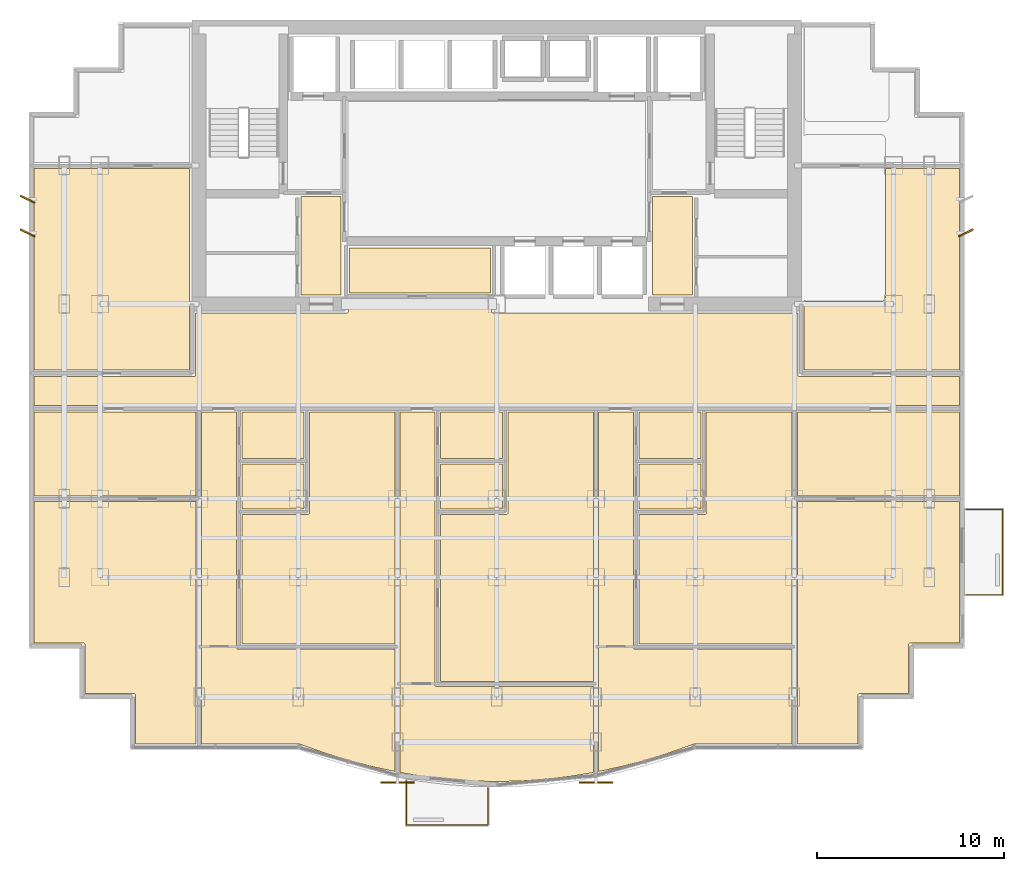
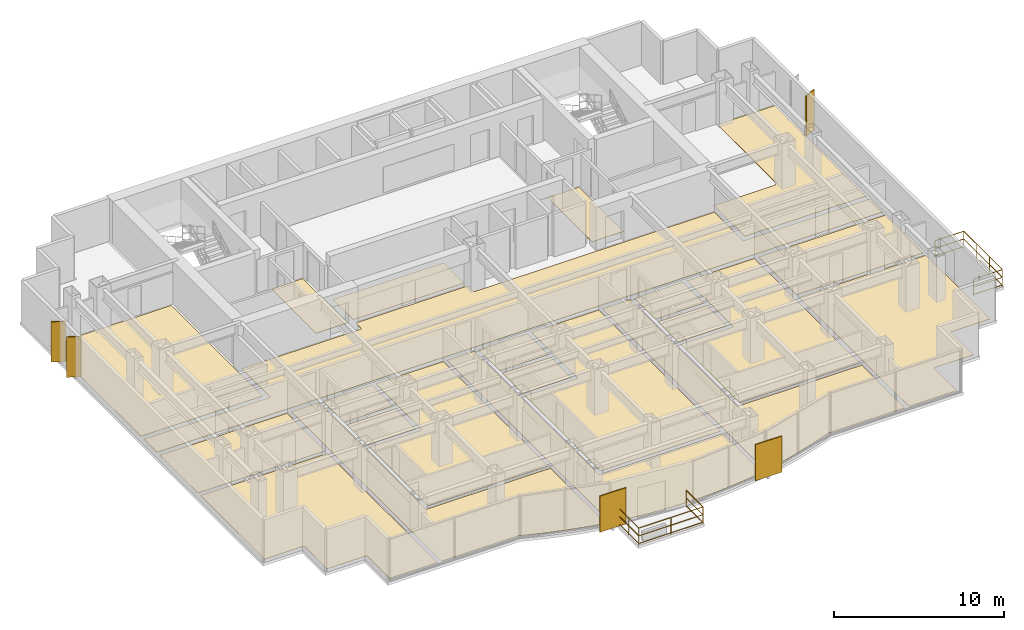
# One storey, part 8 of 9: 22 coverings, 5 shading devices, 2 railings.
"""IFC4 building model written with IfcOpenShell, lengths in metres."""

from ifc_helpers import new_model, si_unit, direction, frame, origin, origin_2d, place, context, subcontext, project, spatial, polyline, rectangle, circle, outline, extrude, source, transform, mapped, material, layer, layer_set, type_object, element, save


model = new_model("IFC4")

# Units and contexts
model_context = context("Model", 3, precision=1e-05, world=origin(), true_north=direction((0.0, 1.0)))
body_context = subcontext(model_context, "Body", "Model", "MODEL_VIEW")
ifc_project = project(units=[si_unit("LENGTHUNIT", "METRE"), si_unit("AREAUNIT", "SQUARE_METRE"), si_unit("VOLUMEUNIT", "CUBIC_METRE"), si_unit("PLANEANGLEUNIT", "RADIAN"), si_unit("MASSUNIT", "GRAM", prefix="KILO")], contexts=[model_context])

# Site, building, storey
site_placement = place(None, origin())
site = spatial("IfcSite", under=ifc_project, at=site_placement, CompositionType="ELEMENT")
building_placement = place(site_placement, origin())
building = spatial("IfcBuilding", under=site, at=building_placement, Name="Qianlan Lanfeng Residences", CompositionType="ELEMENT")
storey_placement = place(building_placement, frame((0.0, 0.0, 111.39990234375)))
storey = spatial("IfcBuildingStorey", under=building, at=storey_placement, Name="L30", CompositionType="ELEMENT", Elevation=111.39990234375)

# Coverings
ifc_material_1 = material(Name="Honed Taitung Granite Stone Flooring", Category="masonry")
ifc_layer_1 = layer(ifc_material_1, 0.030029296875)
ifc_layer_set_1 = layer_set([ifc_layer_1], Name="Honed Taitung Granite Stone Flooring")
covering_type_1 = type_object("IfcCoveringType", Name="FLR-STN-30", PredefinedType="FLOORING", material=ifc_layer_set_1)
covering_1_placement = place(storey_placement, origin())
element("IfcCovering", 1, at=covering_1_placement, inside=storey, type_object=covering_type_1, Name="L30 Residential Corridor Floor Finish", PredefinedType="FLOORING", context=body_context, shape_type="SweptSolid", body=[
    extrude(outline(polyline([(1.7900390625, 19.780029296875), (51.2099609375, 19.780029296875), (51.2099609375, 21.320068359375), (42.6650390625, 21.320068359375), (42.657958984375, 21.320068359375), (42.65087890625, 21.321044921875), (42.64501953125, 21.322998046875), (42.637939453125, 21.324951171875), (42.632080078125, 21.327880859375), (42.6259765625, 21.33203125), (42.62109375, 21.3359375), (42.615966796875, 21.341064453125), (42.611083984375, 21.345947265625), (42.60693359375, 21.35107421875), (42.60302734375, 21.35693359375), (42.60009765625, 21.363037109375), (42.597900390625, 21.3701171875), (42.595947265625, 21.3759765625), (42.594970703125, 21.383056640625), (42.594970703125, 21.389892578125), (42.594970703125, 24.72509765625), (26.300048828125, 24.72509765625), (26.29296875, 24.72509765625), (26.285888671875, 24.72607421875), (26.280029296875, 24.72802734375), (26.27294921875, 24.72998046875), (26.26708984375, 24.73291015625), (26.260986328125, 24.737060546875), (26.256103515625, 24.740966796875), (26.2509765625, 24.74609375), (26.24609375, 24.7509765625), (26.241943359375, 24.756103515625), (26.238037109375, 24.761962890625), (26.235107421875, 24.76806640625), (26.23291015625, 24.77490234375), (26.23095703125, 24.781005859375), (26.22998046875, 24.7880859375), (26.22998046875, 24.794921875), (26.22998046875, 25.429931640625), (18.570068359375, 25.429931640625), (18.570068359375, 24.794921875), (18.570068359375, 24.7880859375), (18.569091796875, 24.781005859375), (18.56689453125, 24.77490234375), (18.56494140625, 24.76806640625), (18.56201171875, 24.761962890625), (18.55810546875, 24.756103515625), (18.553955078125, 24.7509765625), (18.549072265625, 24.74609375), (18.5439453125, 24.740966796875), (18.5390625, 24.737060546875), (18.532958984375, 24.73291015625), (18.527099609375, 24.72998046875), (18.52001953125, 24.72802734375), (18.513916015625, 24.72607421875), (18.507080078125, 24.72509765625), (18.5, 24.72509765625), (10.405029296875, 24.72509765625), (10.405029296875, 21.389892578125), (10.405029296875, 21.383056640625), (10.404052734375, 21.3759765625), (10.402099609375, 21.3701171875), (10.39990234375, 21.363037109375), (10.39697265625, 21.35693359375), (10.39306640625, 21.35107421875), (10.388916015625, 21.345947265625), (10.384033203125, 21.341064453125), (10.37890625, 21.3359375), (10.3740234375, 21.33203125), (10.367919921875, 21.327880859375), (10.362060546875, 21.324951171875), (10.35498046875, 21.322998046875), (10.34912109375, 21.321044921875), (10.342041015625, 21.320068359375), (10.3349609375, 21.320068359375), (1.7900390625, 21.320068359375), (1.7900390625, 19.780029296875)])), origin(), (0.0, 0.0, 1.0), 0.030029296875),
])
covering_2_placement = place(storey_placement, origin())
element("IfcCovering", 2, at=covering_2_placement, inside=storey, type_object=covering_type_1, Name="L30 Lift Lobby Floor Finish", PredefinedType="FLOORING", context=body_context, shape_type="SweptSolid", body=[
    extrude(outline(polyline([(16.030029296875, 25.68505859375), (18.169921875, 25.68505859375), (18.169921875, 30.949951171875), (16.030029296875, 30.949951171875), (16.030029296875, 25.68505859375)])), origin(), (0.0, 0.0, 1.0), 0.030029296875),
])
covering_3_placement = place(storey_placement, origin())
element("IfcCovering", 3, at=covering_3_placement, inside=storey, type_object=covering_type_1, Name="L30 Lift Lobby Floor Finish", PredefinedType="FLOORING", context=body_context, shape_type="SweptSolid", body=[
    extrude(outline(polyline([(34.830078125, 25.68505859375), (36.969970703125, 25.68505859375), (36.969970703125, 30.949951171875), (34.830078125, 30.949951171875), (34.830078125, 25.68505859375)])), origin(), (0.0, 0.0, 1.0), 0.030029296875),
])
ifc_material_2 = material(Name="Slip-Resistant Porcelain Tile Flooring")
ifc_layer_2 = layer(ifc_material_2, 0.02001953125)
ifc_layer_set_2 = layer_set([ifc_layer_2], Name="Slip-Resistant Porcelain Tile Flooring")
covering_type_2 = type_object("IfcCoveringType", Name="FLR-TIL-20", PredefinedType="FLOORING", material=ifc_layer_set_2)
covering_4_placement = place(storey_placement, origin())
element("IfcCovering", 4, at=covering_4_placement, inside=storey, type_object=covering_type_2, Name="L30 Kitchen Floor Finish", PredefinedType="FLOORING", context=body_context, shape_type="SweptSolid", body=[
    extrude(outline(polyline([(12.889892578125, 14.239990234375), (16.2099609375, 14.239990234375), (16.2099609375, 16.659912109375), (12.889892578125, 16.659912109375), (12.889892578125, 14.239990234375)])), origin(), (0.0, 0.0, 1.0), 0.02001953125),
])
covering_5_placement = place(storey_placement, origin())
element("IfcCovering", 5, at=covering_5_placement, inside=storey, type_object=covering_type_2, Name="L30 Bathroom Floor Finish", PredefinedType="FLOORING", context=body_context, shape_type="SweptSolid", body=[
    extrude(outline(polyline([(12.889892578125, 16.93994140625), (16.2099609375, 16.93994140625), (16.2099609375, 19.429931640625), (12.889892578125, 19.429931640625), (12.889892578125, 16.93994140625)])), origin(), (0.0, 0.0, 1.0), 0.02001953125),
])
covering_6_placement = place(storey_placement, origin())
element("IfcCovering", 6, at=covering_6_placement, inside=storey, type_object=covering_type_2, Name="L30 Kitchen Floor Finish", PredefinedType="FLOORING", context=body_context, shape_type="SweptSolid", body=[
    extrude(outline(polyline([(23.489990234375, 14.239990234375), (26.81005859375, 14.239990234375), (26.81005859375, 16.659912109375), (23.489990234375, 16.659912109375), (23.489990234375, 14.239990234375)])), origin(), (0.0, 0.0, 1.0), 0.02001953125),
])
covering_7_placement = place(storey_placement, origin())
element("IfcCovering", 7, at=covering_7_placement, inside=storey, type_object=covering_type_2, Name="L30 Bathroom Floor Finish", PredefinedType="FLOORING", context=body_context, shape_type="SweptSolid", body=[
    extrude(outline(polyline([(23.489990234375, 16.93994140625), (26.81005859375, 16.93994140625), (26.81005859375, 19.429931640625), (23.489990234375, 19.429931640625), (23.489990234375, 16.93994140625)])), origin(), (0.0, 0.0, 1.0), 0.02001953125),
])
covering_8_placement = place(storey_placement, origin())
element("IfcCovering", 8, at=covering_8_placement, inside=storey, type_object=covering_type_2, Name="L30 Kitchen Floor Finish", PredefinedType="FLOORING", context=body_context, shape_type="SweptSolid", body=[
    extrude(outline(polyline([(34.090087890625, 14.239990234375), (37.409912109375, 14.239990234375), (37.409912109375, 16.659912109375), (34.090087890625, 16.659912109375), (34.090087890625, 14.239990234375)])), origin(), (0.0, 0.0, 1.0), 0.02001953125),
])
covering_9_placement = place(storey_placement, origin())
element("IfcCovering", 9, at=covering_9_placement, inside=storey, type_object=covering_type_2, Name="L30 Bathroom Floor Finish", PredefinedType="FLOORING", context=body_context, shape_type="SweptSolid", body=[
    extrude(outline(polyline([(34.090087890625, 16.93994140625), (37.409912109375, 16.93994140625), (37.409912109375, 19.429931640625), (34.090087890625, 19.429931640625), (34.090087890625, 16.93994140625)])), origin(), (0.0, 0.0, 1.0), 0.02001953125),
])
ifc_material_3 = material(Name="Engineered Smoked Oak Timber Flooring", Category="wood")
ifc_layer_3 = layer(ifc_material_3, 0.02197265625)
ifc_layer_set_3 = layer_set([ifc_layer_3], Name="Engineered Smoked Oak Timber Flooring")
covering_type_3 = type_object("IfcCoveringType", Name="FLR-TIM-22", PredefinedType="FLOORING", material=ifc_layer_set_3)
covering_10_placement = place(storey_placement, origin())
element("IfcCovering", 10, at=covering_10_placement, inside=storey, type_object=covering_type_3, Name="L30 Resident Study Salon Floor Finish", PredefinedType="FLOORING", context=body_context, shape_type="SweptSolid", body=[
    extrude(outline(polyline([(18.6298828125, 25.800048828125), (26.169921875, 25.800048828125), (26.169921875, 28.205078125), (18.6298828125, 28.205078125), (18.6298828125, 25.800048828125)])), origin(), (0.0, 0.0, 1.0), 0.022216796875),
])
covering_11_placement = place(storey_placement, origin())
element("IfcCovering", 11, at=covering_11_placement, inside=storey, type_object=covering_type_3, Name="L30 Studio Living Room Floor Finish", PredefinedType="FLOORING", context=body_context, shape_type="SweptSolid", body=[
    extrude(outline(polyline([(21.070068359375, 0.22607421875), (21.070068359375, 6.762939453125), (12.679931640625, 6.762939453125), (12.673095703125, 6.762939453125), (12.666015625, 6.763916015625), (12.659912109375, 6.76611328125), (12.653076171875, 6.76806640625), (12.64697265625, 6.77099609375), (12.64111328125, 6.77490234375), (12.635986328125, 6.779052734375), (12.631103515625, 6.783935546875), (12.6259765625, 6.7890625), (12.6220703125, 6.7939453125), (12.617919921875, 6.800048828125), (12.614990234375, 6.805908203125), (12.613037109375, 6.81298828125), (12.611083984375, 6.819091796875), (12.610107421875, 6.825927734375), (12.610107421875, 6.8330078125), (12.610107421875, 19.429931640625), (10.72998046875, 19.429931640625), (10.72998046875, 1.68994140625), (15.9580078125, 1.68994140625), (15.966064453125, 1.68994140625), (15.97412109375, 1.68798828125), (15.98095703125, 1.68603515625), (17.3330078125, 1.2060546875), (18.64404296875, 0.803955078125), (19.9541015625, 0.462890625), (21.070068359375, 0.22607421875)])), origin(), (0.0, 0.0, 1.0), 0.022216796875),
])
covering_12_placement = place(storey_placement, origin())
element("IfcCovering", 12, at=covering_12_placement, inside=storey, type_object=covering_type_3, Name="L30 Villa Family Sitting Room Floor Finish", PredefinedType="FLOORING", context=body_context, shape_type="SweptSolid", body=[
    extrude(outline(polyline([(12.889892578125, 7.04296875), (21.070068359375, 7.04296875), (21.070068359375, 19.429931640625), (16.489990234375, 19.429931640625), (16.489990234375, 14.030029296875), (16.489990234375, 14.02294921875), (16.489013671875, 14.01611328125), (16.487060546875, 14.010009765625), (16.485107421875, 14.0029296875), (16.48193359375, 13.9970703125), (16.47802734375, 13.990966796875), (16.47412109375, 13.986083984375), (16.468994140625, 13.98095703125), (16.464111328125, 13.97607421875), (16.458984375, 13.971923828125), (16.452880859375, 13.968017578125), (16.447021484375, 13.965087890625), (16.43994140625, 13.962890625), (16.43408203125, 13.9609375), (16.427001953125, 13.9599609375), (16.419921875, 13.9599609375), (12.889892578125, 13.9599609375), (12.889892578125, 7.04296875)])), origin(), (0.0, 0.0, 1.0), 0.022216796875),
])
covering_13_placement = place(storey_placement, origin())
element("IfcCovering", 13, at=covering_13_placement, inside=storey, type_object=covering_type_3, Name="L30 Studio Living Room Floor Finish", PredefinedType="FLOORING", context=body_context, shape_type="SweptSolid", body=[
    extrude(outline(polyline([(31.669921875, 0.174072265625), (31.669921875, 4.762939453125), (23.280029296875, 4.762939453125), (23.27294921875, 4.762939453125), (23.26611328125, 4.763916015625), (23.260009765625, 4.76611328125), (23.2529296875, 4.76806640625), (23.2470703125, 4.77099609375), (23.240966796875, 4.77490234375), (23.236083984375, 4.779052734375), (23.23095703125, 4.783935546875), (23.22607421875, 4.7890625), (23.221923828125, 4.7939453125), (23.218017578125, 4.800048828125), (23.215087890625, 4.805908203125), (23.212890625, 4.81298828125), (23.2109375, 4.819091796875), (23.2099609375, 4.825927734375), (23.2099609375, 4.8330078125), (23.2099609375, 19.429931640625), (21.330078125, 19.429931640625), (21.330078125, 0.174072265625), (22.572998046875, -0.031982421875), (23.882080078125, -0.18603515625), (25.19091796875, -0.279052734375), (26.5, -0.31005859375), (27.80810546875, -0.279052734375), (29.117919921875, -0.18603515625), (30.426025390625, -0.031982421875), (31.669921875, 0.174072265625)])), origin(), (0.0, 0.0, 1.0), 0.022216796875),
])
covering_14_placement = place(storey_placement, origin())
element("IfcCovering", 14, at=covering_14_placement, inside=storey, type_object=covering_type_3, Name="L30 Villa Family Sitting Room Floor Finish", PredefinedType="FLOORING", context=body_context, shape_type="SweptSolid", body=[
    extrude(outline(polyline([(23.489990234375, 5.04296875), (31.669921875, 5.04296875), (31.669921875, 19.429931640625), (27.090087890625, 19.429931640625), (27.090087890625, 14.030029296875), (27.090087890625, 14.02294921875), (27.089111328125, 14.01611328125), (27.0869140625, 14.010009765625), (27.0849609375, 14.0029296875), (27.08203125, 13.9970703125), (27.077880859375, 13.990966796875), (27.073974609375, 13.986083984375), (27.069091796875, 13.98095703125), (27.06396484375, 13.97607421875), (27.05908203125, 13.971923828125), (27.052978515625, 13.968017578125), (27.047119140625, 13.965087890625), (27.0400390625, 13.962890625), (27.033935546875, 13.9609375), (27.027099609375, 13.9599609375), (27.02001953125, 13.9599609375), (23.489990234375, 13.9599609375), (23.489990234375, 5.04296875)])), origin(), (0.0, 0.0, 1.0), 0.022216796875),
])
covering_15_placement = place(storey_placement, origin())
element("IfcCovering", 15, at=covering_15_placement, inside=storey, type_object=covering_type_3, Name="L30 Studio Living Room Floor Finish", PredefinedType="FLOORING", context=body_context, shape_type="SweptSolid", body=[
    extrude(outline(polyline([(42.27001953125, 1.68994140625), (42.27001953125, 6.762939453125), (33.8798828125, 6.762939453125), (33.873046875, 6.762939453125), (33.865966796875, 6.763916015625), (33.860107421875, 6.76611328125), (33.85302734375, 6.76806640625), (33.846923828125, 6.77099609375), (33.841064453125, 6.77490234375), (33.8359375, 6.779052734375), (33.8310546875, 6.783935546875), (33.825927734375, 6.7890625), (33.822021484375, 6.7939453125), (33.818115234375, 6.800048828125), (33.81494140625, 6.805908203125), (33.81298828125, 6.81298828125), (33.81103515625, 6.819091796875), (33.81005859375, 6.825927734375), (33.81005859375, 6.8330078125), (33.81005859375, 19.429931640625), (31.929931640625, 19.429931640625), (31.929931640625, 0.22607421875), (33.044921875, 0.462890625), (34.35595703125, 0.803955078125), (35.6669921875, 1.2060546875), (37.01904296875, 1.68603515625), (37.02587890625, 1.68798828125), (37.033935546875, 1.68994140625), (37.0419921875, 1.68994140625), (42.27001953125, 1.68994140625)])), origin(), (0.0, 0.0, 1.0), 0.022216796875),
])
covering_16_placement = place(storey_placement, origin())
element("IfcCovering", 16, at=covering_16_placement, inside=storey, type_object=covering_type_3, Name="L30 Villa Family Sitting Room Floor Finish", PredefinedType="FLOORING", context=body_context, shape_type="SweptSolid", body=[
    extrude(outline(polyline([(34.090087890625, 7.04296875), (42.27001953125, 7.04296875), (42.27001953125, 19.429931640625), (37.68994140625, 19.429931640625), (37.68994140625, 14.030029296875), (37.68994140625, 14.02294921875), (37.68896484375, 14.01611328125), (37.68701171875, 14.010009765625), (37.68505859375, 14.0029296875), (37.681884765625, 13.9970703125), (37.677978515625, 13.990966796875), (37.674072265625, 13.986083984375), (37.6689453125, 13.98095703125), (37.6640625, 13.97607421875), (37.658935546875, 13.971923828125), (37.653076171875, 13.968017578125), (37.64697265625, 13.965087890625), (37.639892578125, 13.962890625), (37.634033203125, 13.9609375), (37.626953125, 13.9599609375), (37.6201171875, 13.9599609375), (34.090087890625, 13.9599609375), (34.090087890625, 7.04296875)])), origin(), (0.0, 0.0, 1.0), 0.022216796875),
])
covering_17_placement = place(storey_placement, origin())
element("IfcCovering", 17, at=covering_17_placement, inside=storey, type_object=covering_type_3, Name="L30 Sunroom Floor Finish", PredefinedType="FLOORING", context=body_context, shape_type="SweptSolid", body=[
    extrude(outline(polyline([(10.43994140625, 14.64990234375), (1.7900390625, 14.64990234375), (1.7900390625, 7.090087890625), (4.419921875, 7.090087890625), (4.427001953125, 7.090087890625), (4.43408203125, 7.089111328125), (4.43994140625, 7.0869140625), (4.447021484375, 7.0849609375), (4.452880859375, 7.08203125), (4.458984375, 7.077880859375), (4.464111328125, 7.073974609375), (4.468994140625, 7.069091796875), (4.47412109375, 7.06396484375), (4.47802734375, 7.05908203125), (4.48193359375, 7.052978515625), (4.485107421875, 7.047119140625), (4.487060546875, 7.0400390625), (4.489013671875, 7.033935546875), (4.489990234375, 7.027099609375), (4.489990234375, 7.02001953125), (4.489990234375, 4.389892578125), (7.1201171875, 4.389892578125), (7.126953125, 4.389892578125), (7.134033203125, 4.388916015625), (7.139892578125, 4.386962890625), (7.14697265625, 4.385009765625), (7.153076171875, 4.382080078125), (7.158935546875, 4.3779296875), (7.1640625, 4.3740234375), (7.1689453125, 4.368896484375), (7.174072265625, 4.364013671875), (7.177978515625, 4.35888671875), (7.181884765625, 4.35302734375), (7.18505859375, 4.346923828125), (7.18701171875, 4.340087890625), (7.18896484375, 4.333984375), (7.18994140625, 4.326904296875), (7.18994140625, 4.320068359375), (7.18994140625, 1.68994140625), (10.43994140625, 1.68994140625), (10.43994140625, 14.64990234375)])), origin(), (0.0, 0.0, 1.0), 0.022216796875),
])
covering_18_placement = place(storey_placement, origin())
element("IfcCovering", 18, at=covering_18_placement, inside=storey, type_object=covering_type_3, Name="L30 Family Sitting Room Floor Finish", PredefinedType="FLOORING", context=body_context, shape_type="SweptSolid", body=[
    extrude(outline(polyline([(10.43994140625, 19.429931640625), (1.7900390625, 19.429931640625), (1.7900390625, 14.949951171875), (10.43994140625, 14.949951171875), (10.43994140625, 19.429931640625)])), origin(), (0.0, 0.0, 1.0), 0.022216796875),
])
covering_19_placement = place(storey_placement, origin())
element("IfcCovering", 19, at=covering_19_placement, inside=storey, type_object=covering_type_3, Name="L30 Sunroom Floor Finish", PredefinedType="FLOORING", context=body_context, shape_type="SweptSolid", body=[
    extrude(outline(polyline([(51.2099609375, 14.64990234375), (42.56005859375, 14.64990234375), (42.56005859375, 1.68994140625), (45.81005859375, 1.68994140625), (45.81005859375, 4.320068359375), (45.81005859375, 4.326904296875), (45.81103515625, 4.333984375), (45.81298828125, 4.340087890625), (45.81494140625, 4.346923828125), (45.818115234375, 4.35302734375), (45.822021484375, 4.35888671875), (45.825927734375, 4.364013671875), (45.8310546875, 4.368896484375), (45.8359375, 4.3740234375), (45.841064453125, 4.3779296875), (45.846923828125, 4.382080078125), (45.85302734375, 4.385009765625), (45.860107421875, 4.386962890625), (45.865966796875, 4.388916015625), (45.873046875, 4.389892578125), (45.8798828125, 4.389892578125), (48.510009765625, 4.389892578125), (48.510009765625, 7.02001953125), (48.510009765625, 7.027099609375), (48.510986328125, 7.033935546875), (48.512939453125, 7.0400390625), (48.514892578125, 7.047119140625), (48.51806640625, 7.052978515625), (48.52197265625, 7.05908203125), (48.52587890625, 7.06396484375), (48.531005859375, 7.069091796875), (48.535888671875, 7.073974609375), (48.541015625, 7.077880859375), (48.547119140625, 7.08203125), (48.552978515625, 7.0849609375), (48.56005859375, 7.0869140625), (48.56591796875, 7.089111328125), (48.572998046875, 7.090087890625), (48.580078125, 7.090087890625), (51.2099609375, 7.090087890625), (51.2099609375, 14.64990234375)])), origin(), (0.0, 0.0, 1.0), 0.022216796875),
])
covering_20_placement = place(storey_placement, origin())
element("IfcCovering", 20, at=covering_20_placement, inside=storey, type_object=covering_type_3, Name="L30 Private Study Floor Finish", PredefinedType="FLOORING", context=body_context, shape_type="SweptSolid", body=[
    extrude(outline(polyline([(51.2099609375, 19.429931640625), (42.56005859375, 19.429931640625), (42.56005859375, 14.949951171875), (51.2099609375, 14.949951171875), (51.2099609375, 19.429931640625)])), origin(), (0.0, 0.0, 1.0), 0.022216796875),
])
covering_21_placement = place(storey_placement, origin())
element("IfcCovering", 21, at=covering_21_placement, inside=storey, type_object=covering_type_3, Name="L30 Co-Working Business Suite Floor Finish", PredefinedType="FLOORING", context=body_context, shape_type="SweptSolid", body=[
    extrude(outline(polyline([(10.074951171875, 32.449951171875), (1.7900390625, 32.449951171875), (1.7900390625, 21.679931640625), (10.074951171875, 21.679931640625), (10.074951171875, 32.449951171875)])), origin(), (0.0, 0.0, 1.0), 0.022216796875),
])
covering_22_placement = place(storey_placement, origin())
element("IfcCovering", 22, at=covering_22_placement, inside=storey, type_object=covering_type_3, Name="L30 Co-Working Business Suite Floor Finish", PredefinedType="FLOORING", context=body_context, shape_type="SweptSolid", body=[
    extrude(outline(polyline([(51.2099609375, 32.449951171875), (47.27001953125, 32.449951171875), (47.27001953125, 25.60009765625), (47.26904296875, 25.574951171875), (47.264892578125, 25.551025390625), (47.259033203125, 25.527099609375), (47.2509765625, 25.50390625), (47.239990234375, 25.48193359375), (47.22802734375, 25.4609375), (47.212890625, 25.44091796875), (47.197021484375, 25.423095703125), (47.178955078125, 25.406982421875), (47.158935546875, 25.39208984375), (47.137939453125, 25.3798828125), (47.115966796875, 25.368896484375), (47.093017578125, 25.361083984375), (47.069091796875, 25.35498046875), (47.044921875, 25.35107421875), (47.02001953125, 25.35009765625), (43.080078125, 25.35009765625), (43.054931640625, 25.35107421875), (43.031005859375, 25.35498046875), (43.007080078125, 25.361083984375), (42.98388671875, 25.368896484375), (42.9619140625, 25.3798828125), (42.94091796875, 25.39208984375), (42.925048828125, 25.404052734375), (42.925048828125, 21.679931640625), (51.2099609375, 21.679931640625), (51.2099609375, 32.449951171875)])), origin(), (0.0, 0.0, 1.0), 0.022216796875),
])

# Railings
ifc_material_4 = material(Name="Anodised Bronze Aluminium and Laminated Glass Guard Balustrade", Category="aluminium")
railing_type = type_object("IfcRailingType", Name="GR-EXT-1220", PredefinedType="BALUSTRADE", material=ifc_material_4)
railing_1_placement = place(storey_placement, frame((26.030029296875, -0.658935546875, 0.0)))
element("IfcRailing", 23, at=railing_1_placement, inside=storey, type_object=railing_type, Name="L30 Terrace Safety Guard GR-L30-SB-C", PredefinedType="BALUSTRADE", context=body_context, shape_type="SweptSolid", body=[
    extrude(circle(Radius=0.02490234375, at=origin_2d()), frame((0.0, 0.0, 0.0849609375), z_axis=(0.0, -1.0, 0.0), x_axis=(1.0, 0.0, 0.0)), (0.0, 0.0, 1.0), 1.970947265625),
    extrude(circle(Radius=0.02490234375, at=origin_2d()), frame((0.0, 0.0, 0.63427734375), z_axis=(0.0, -1.0, 0.0), x_axis=(1.0, 0.0, 0.0)), (0.0, 0.0, 1.0), 1.970947265625),
    extrude(circle(Radius=0.02490234375, at=origin_2d()), frame((0.0, 0.0, 1.19482421875), z_axis=(0.0, -1.0, 0.0), x_axis=(1.0, 0.0, 0.0)), (0.0, 0.0, 1.0), 1.970947265625),
    extrude(circle(Radius=0.02490234375, at=origin_2d()), frame((0.0, -1.970947265625, 0.0849609375), z_axis=(-1.0, 0.0, 0.0), x_axis=(0.0, -1.0, 0.0)), (0.0, 0.0, 1.0), 4.360107421875),
    extrude(circle(Radius=0.02490234375, at=origin_2d()), frame((0.0, -1.970947265625, 0.63427734375), z_axis=(-1.0, 0.0, 0.0), x_axis=(0.0, -1.0, 0.0)), (0.0, 0.0, 1.0), 4.360107421875),
    extrude(circle(Radius=0.02490234375, at=origin_2d()), frame((0.0, -1.970947265625, 1.19482421875), z_axis=(-1.0, 0.0, 0.0), x_axis=(0.0, -1.0, 0.0)), (0.0, 0.0, 1.0), 4.360107421875),
    extrude(circle(Radius=0.02490234375, at=origin_2d()), frame((-4.360107421875, -1.970947265625, 0.0849609375), z_axis=(0.0, 1.0, 0.0), x_axis=(-1.0, 0.0, 0.0)), (0.0, 0.0, 1.0), 2.3818359375),
    extrude(circle(Radius=0.02490234375, at=origin_2d()), frame((-4.360107421875, -1.970947265625, 0.63427734375), z_axis=(0.0, 1.0, 0.0), x_axis=(-1.0, 0.0, 0.0)), (0.0, 0.0, 1.0), 2.3818359375),
    extrude(circle(Radius=0.02490234375, at=origin_2d()), frame((-4.360107421875, -1.970947265625, 1.19482421875), z_axis=(0.0, 1.0, 0.0), x_axis=(-1.0, 0.0, 0.0)), (0.0, 0.0, 1.0), 2.3818359375),
    extrude(circle(Radius=0.02099609375, at=origin_2d()), origin(), (0.0, 0.0, 1.0), 1.169921875),
    extrude(circle(Radius=0.02099609375, at=origin_2d()), frame((0.0, -1.970947265625, 0.0)), (0.0, 0.0, 1.0), 1.169921875),
    extrude(circle(Radius=0.02099609375, at=origin_2d()), frame((-2.18017578125, -1.970947265625, 0.0)), (0.0, 0.0, 1.0), 1.169921875),
    extrude(circle(Radius=0.02099609375, at=origin_2d()), frame((-4.360107421875, -1.970947265625, 0.0)), (0.0, 0.0, 1.0), 1.169921875),
    extrude(circle(Radius=0.02099609375, at=origin_2d()), frame((-4.360107421875, -0.780029296875, 0.0)), (0.0, 0.0, 1.0), 1.169921875),
    extrude(circle(Radius=0.02099609375, at=origin_2d()), frame((-4.360107421875, 0.410888671875, 0.0)), (0.0, 0.0, 1.0), 1.169921875),
])
railing_2_placement = place(storey_placement, frame((51.570068359375, 14.22998046875, 0.0)))
element("IfcRailing", 24, at=railing_2_placement, inside=storey, type_object=railing_type, Name="L30 Terrace Safety Guard GR-L30-EB-S", PredefinedType="BALUSTRADE", context=body_context, shape_type="SweptSolid", body=[
    extrude(circle(Radius=0.02490234375, at=origin_2d()), frame((0.0, 0.0, 0.0849609375), z_axis=(1.0, 0.0, 0.0), x_axis=(0.0, 1.0, 0.0)), (0.0, 0.0, 1.0), 1.9599609375),
    extrude(circle(Radius=0.02490234375, at=origin_2d()), frame((0.0, 0.0, 0.63427734375), z_axis=(1.0, 0.0, 0.0), x_axis=(0.0, 1.0, 0.0)), (0.0, 0.0, 1.0), 1.9599609375),
    extrude(circle(Radius=0.02490234375, at=origin_2d()), frame((0.0, 0.0, 1.19482421875), z_axis=(1.0, 0.0, 0.0), x_axis=(0.0, 1.0, 0.0)), (0.0, 0.0, 1.0), 1.9599609375),
    extrude(circle(Radius=0.02490234375, at=origin_2d()), frame((1.9599609375, 0.0, 0.0849609375), z_axis=(0.0, -1.0, 0.0), x_axis=(1.0, 0.0, 0.0)), (0.0, 0.0, 1.0), 4.56005859375),
    extrude(circle(Radius=0.02490234375, at=origin_2d()), frame((1.9599609375, 0.0, 0.63427734375), z_axis=(0.0, -1.0, 0.0), x_axis=(1.0, 0.0, 0.0)), (0.0, 0.0, 1.0), 4.56005859375),
    extrude(circle(Radius=0.02490234375, at=origin_2d()), frame((1.9599609375, 0.0, 1.19482421875), z_axis=(0.0, -1.0, 0.0), x_axis=(1.0, 0.0, 0.0)), (0.0, 0.0, 1.0), 4.56005859375),
    extrude(circle(Radius=0.02490234375, at=origin_2d()), frame((1.9599609375, -4.56005859375, 0.0849609375), z_axis=(-1.0, 0.0, 0.0), x_axis=(0.0, -1.0, 0.0)), (0.0, 0.0, 1.0), 1.9599609375),
    extrude(circle(Radius=0.02490234375, at=origin_2d()), frame((1.9599609375, -4.56005859375, 0.63427734375), z_axis=(-1.0, 0.0, 0.0), x_axis=(0.0, -1.0, 0.0)), (0.0, 0.0, 1.0), 1.9599609375),
    extrude(circle(Radius=0.02490234375, at=origin_2d()), frame((1.9599609375, -4.56005859375, 1.19482421875), z_axis=(-1.0, 0.0, 0.0), x_axis=(0.0, -1.0, 0.0)), (0.0, 0.0, 1.0), 1.9599609375),
    extrude(circle(Radius=0.02099609375, at=origin_2d()), origin(), (0.0, 0.0, 1.0), 1.169921875),
    extrude(circle(Radius=0.02099609375, at=origin_2d()), frame((1.9599609375, 0.0, 0.0)), (0.0, 0.0, 1.0), 1.169921875),
    extrude(circle(Radius=0.02099609375, at=origin_2d()), frame((1.9599609375, -1.52001953125, 0.0)), (0.0, 0.0, 1.0), 1.169921875),
    extrude(circle(Radius=0.02099609375, at=origin_2d()), frame((1.9599609375, -3.0400390625, 0.0)), (0.0, 0.0, 1.0), 1.169921875),
    extrude(circle(Radius=0.02099609375, at=origin_2d()), frame((1.9599609375, -4.56005859375, 0.0)), (0.0, 0.0, 1.0), 1.169921875),
    extrude(circle(Radius=0.02099609375, at=origin_2d()), frame((0.0, -4.56005859375, 0.0)), (0.0, 0.0, 1.0), 1.169921875),
])

# Shading devices
ifc_material_5 = material(Name="Perforated Bronze Aluminium Solar Screen", Category="aluminium")
shading_device_type_1 = type_object("IfcShadingDeviceType", Name="SCR-BRZ-1800", PredefinedType="JALOUSIE", material=ifc_material_5)
shared_shape_1 = source(origin(), body_context, "Body", "SweptSolid", [
    extrude(rectangle(XDim=1.800048828125, YDim=0.06005859375, at=origin_2d()), origin(), (0.0, 0.0, 1.0), 2.60009765625),
])
for number, where, z_axis, x_axis, name in (
    (25, (21.199951171875, -0.360107421875, 0.0), (0.0, 0.0, 1.0), (1.0, 0.0, 0.0), "L30 Perforated Bronze Solar Screen 1"),
    (26, (31.800048828125, -0.360107421875, 0.0), (0.0, 0.0, 1.0), (1.0, 0.0, 0.0), "L30 Perforated Bronze Solar Screen 2"),
):
    element("IfcShadingDevice", number, at=place(storey_placement, frame(where, z_axis=z_axis, x_axis=x_axis)), inside=storey, type_object=shading_device_type_1, Name=name, PredefinedType="JALOUSIE", context=body_context, shape_type="MappedRepresentation", body=[
        mapped(shared_shape_1, transform((0.0, 0.0, 0.0), scale=1.0)),
    ])
ifc_material_6 = material(Name="Anodised Bronze Aluminium Solar Fin", Category="aluminium")
shading_device_type_2 = type_object("IfcShadingDeviceType", Name="FIN-BRZ-850", PredefinedType="SHUTTER", material=ifc_material_6)
shared_shape_2 = source(origin(), body_context, "Body", "SweptSolid", [
    extrude(rectangle(XDim=0.85009765625, YDim=0.080078125, at=origin_2d()), origin(), (0.0, 0.0, 1.0), 2.89990234375),
])
for number, where, z_axis, x_axis, name in (
    (27, (1.429931640625, 29.0, 0.000244140625), (0.0, 0.0, 1.0), (0.898794046299, -0.438371146789, 0.0), "L30 Raked Bronze Solar Fin W1"),
    (28, (1.429931640625, 30.800048828125, 0.000244140625), (0.0, 0.0, 1.0), (0.898794046299, -0.438371146789, 0.0), "L30 Raked Bronze Solar Fin W2"),
    (29, (51.570068359375, 29.0, 0.000244140625), (0.0, 0.0, 1.0), (0.898794046299, 0.438371146789, 0.0), "L30 Raked Bronze Solar Fin E1"),
):
    element("IfcShadingDevice", number, at=place(storey_placement, frame(where, z_axis=z_axis, x_axis=x_axis)), inside=storey, type_object=shading_device_type_2, Name=name, PredefinedType="SHUTTER", context=body_context, shape_type="MappedRepresentation", body=[
        mapped(shared_shape_2, transform((0.0, 0.0, 0.0), scale=1.0)),
    ])

save(model, "model.ifc")
